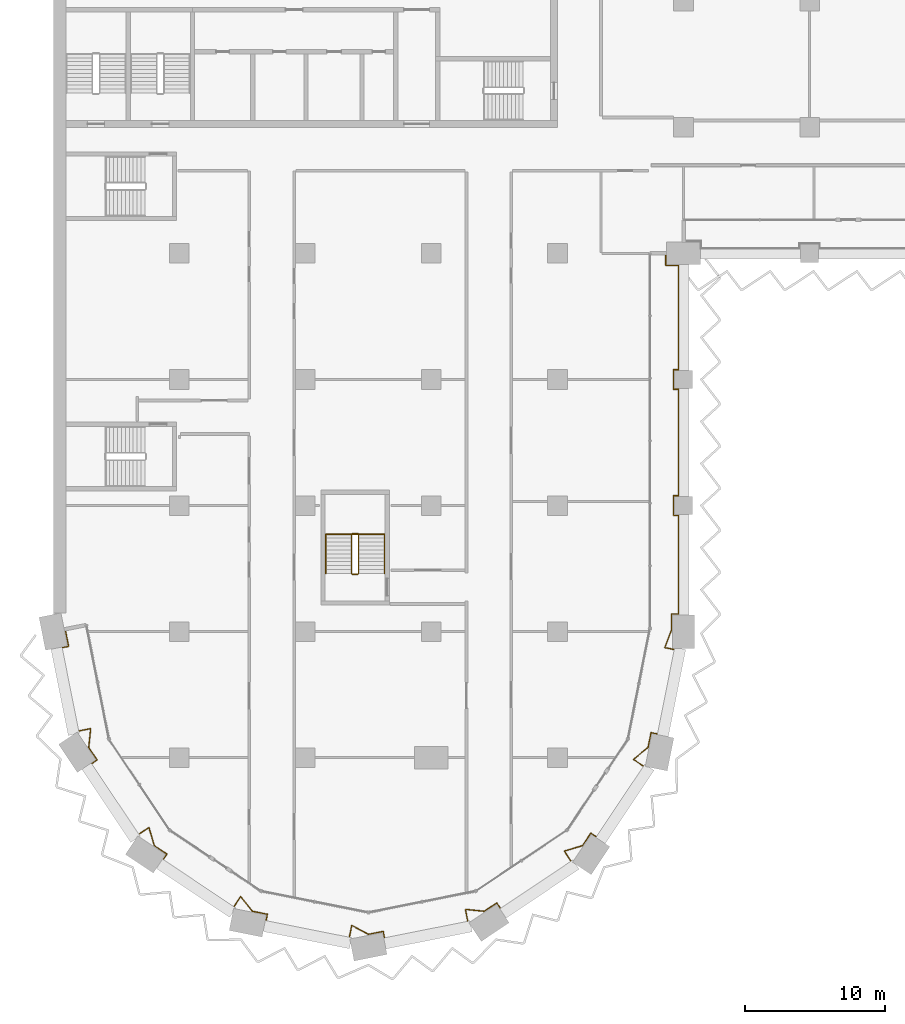
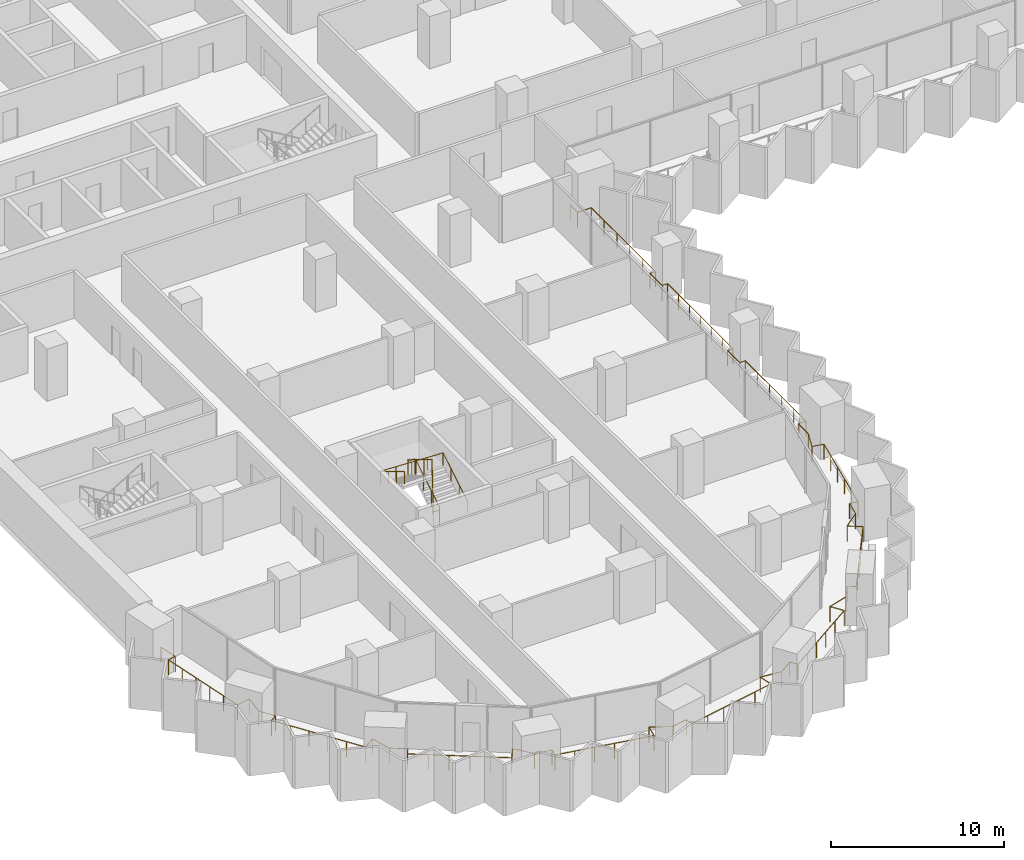
# One storey, part 25 of 29: 3 railings.
"""IFC4 building model written with IfcOpenShell, lengths in metres."""

from ifc_helpers import new_model, si_unit, direction, frame, origin, origin_2d, place, context, subcontext, project, spatial, circle, extrude, material, type_object, element, save


model = new_model("IFC4")

# Units and contexts
model_context = context("Model", 3, precision=1e-05, world=origin(), true_north=direction((0.0, 1.0)))
body_context = subcontext(model_context, "Body", "Model", "MODEL_VIEW")
ifc_project = project(units=[si_unit("LENGTHUNIT", "METRE"), si_unit("AREAUNIT", "SQUARE_METRE"), si_unit("VOLUMEUNIT", "CUBIC_METRE"), si_unit("PLANEANGLEUNIT", "RADIAN"), si_unit("MASSUNIT", "GRAM", prefix="KILO")], contexts=[model_context])

# Site, building, storey
site_placement = place(None, origin())
site = spatial("IfcSite", under=ifc_project, at=site_placement, CompositionType="ELEMENT")
building_placement = place(site_placement, origin())
building = spatial("IfcBuilding", under=site, at=building_placement, Name="Hunhe Ridgeline Campus", CompositionType="ELEMENT")
storey_placement = place(building_placement, frame((0.0, 0.0, 65.39990234375)))
storey = spatial("IfcBuildingStorey", under=building, at=storey_placement, Name="L15", CompositionType="ELEMENT", Elevation=65.39990234375)

# Railings
ifc_material_1 = material(Name="Steel Q355", Category="steel")
railing_type_1 = type_object("IfcRailingType", Name="Loggia guard 1100 Steel Q355", PredefinedType="GUARDRAIL", material=ifc_material_1)
railing_1_placement = place(storey_placement, frame((0.853271484375, 27.169677734375, 0.0)))
element("IfcRailing", 1, at=railing_1_placement, inside=storey, type_object=railing_type_1, Name="Loggia guard 1", PredefinedType="GUARDRAIL", context=body_context, shape_type="SweptSolid", body=[
    extrude(circle(Radius=0.02392578125, at=origin_2d()), frame((0.0, 0.0, 1.076171875), z_axis=(0.195139364365, -0.980775523999, 0.0), x_axis=(0.980775523999, 0.195139364365, 0.0)), (0.0, 0.0, 1.0), 1.249755859375),
    extrude(circle(Radius=0.02392578125, at=origin_2d()), frame((0.243896484375, -1.225830078125, 1.076171875), z_axis=(-0.980742851189, -0.195303506986, 0.0), x_axis=(0.195303506986, -0.980742851189, 0.0)), (0.0, 0.0, 1.0), 0.52001953125),
    extrude(circle(Radius=0.02392578125, at=origin_2d()), frame((-0.26611328125, -1.327392578125, 1.076171875), z_axis=(0.195094074844, -0.980784533912, 0.0), x_axis=(0.980784533912, 0.195094074844, 0.0)), (0.0, 0.0, 1.0), 6.064208984375),
    extrude(circle(Radius=0.02392578125, at=origin_2d()), frame((0.9169921875, -7.275146484375, 1.076171875), z_axis=(0.980774480174, 0.195144610585, 0.0), x_axis=(-0.195144610585, 0.980774480174, 0.0)), (0.0, 0.0, 1.0), 0.918212890625),
    extrude(circle(Radius=0.02392578125, at=origin_2d()), frame((1.817626953125, -7.095947265625, 1.076171875), z_axis=(-0.102578746514, -0.994724886973, 0.0), x_axis=(0.994724886973, -0.102578746514, 0.0)), (0.0, 0.0, 1.0), 1.351806640625),
    extrude(circle(Radius=0.02392578125, at=origin_2d()), frame((1.678955078125, -8.440673828125, 1.076171875), z_axis=(0.555693885997, -0.831386976724, 0.0), x_axis=(0.831386976724, 0.555693885997, 0.0)), (0.0, 0.0, 1.0), 1.076904296875),
    extrude(circle(Radius=0.02392578125, at=origin_2d()), frame((2.27734375, -9.3359375, 1.076171875), z_axis=(-0.831327417949, -0.555782982977, 0.0), x_axis=(0.555782982977, -0.831327417949, 0.0)), (0.0, 0.0, 1.0), 0.52001953125),
    extrude(circle(Radius=0.02392578125, at=origin_2d()), frame((1.844970703125, -9.625, 1.076171875), z_axis=(0.55557319973, -0.831467630002, 0.0), x_axis=(0.831467630002, 0.55557319973, 0.0)), (0.0, 0.0, 1.0), 6.064208984375),
    extrude(circle(Radius=0.02392578125, at=origin_2d()), frame((5.214111328125, -14.667236328125, 1.076171875), z_axis=(0.831395250422, 0.555681507318, 0.0), x_axis=(-0.555681507318, 0.831395250422, 0.0)), (0.0, 0.0, 1.0), 0.918212890625),
    extrude(circle(Radius=0.02392578125, at=origin_2d()), frame((5.9775390625, -14.156982421875, 1.076171875), z_axis=(0.285889499126, -0.958262591511, 0.0), x_axis=(0.958262591511, 0.285889499126, 0.0)), (0.0, 0.0, 1.0), 1.351806640625),
    extrude(circle(Radius=0.02392578125, at=origin_2d()), frame((6.364013671875, -15.452392578125, 1.076171875), z_axis=(0.831456967492, -0.555589156849, 0.0), x_axis=(0.555589156849, 0.831456967492, 0.0)), (0.0, 0.0, 1.0), 1.0771484375),
    extrude(circle(Radius=0.02392578125, at=origin_2d()), frame((7.259521484375, -16.05078125, 1.076171875), z_axis=(-0.555675381322, -0.831399344835, 0.0), x_axis=(0.831399344835, -0.555675381322, 0.0)), (0.0, 0.0, 1.0), 0.519775390625),
    extrude(circle(Radius=0.02392578125, at=origin_2d()), frame((6.970703125, -16.48291015625, 1.076171875), z_axis=(0.831467630002, -0.55557319973, 0.0), x_axis=(0.55557319973, 0.831467630002, 0.0)), (0.0, 0.0, 1.0), 6.064208984375),
    extrude(circle(Radius=0.02392578125, at=origin_2d()), frame((12.012939453125, -19.85205078125, 1.076171875), z_axis=(0.555497688072, 0.831518080709, 0.0), x_axis=(-0.831518080709, 0.555497688072, 0.0)), (0.0, 0.0, 1.0), 0.918212890625),
    extrude(circle(Radius=0.02392578125, at=origin_2d()), frame((12.52294921875, -19.088623046875, 1.076171875), z_axis=(0.630864561128, -0.775892972976, 0.0), x_axis=(0.775892972976, 0.630864561128, 0.0)), (0.0, 0.0, 1.0), 1.351806640625),
    extrude(circle(Radius=0.02392578125, at=origin_2d()), frame((13.375732421875, -20.137451171875, 1.076171875), z_axis=(0.980771998786, -0.195157081339, 0.0), x_axis=(0.195157081339, 0.980771998786, 0.0)), (0.0, 0.0, 1.0), 1.0771484375),
    extrude(circle(Radius=0.02392578125, at=origin_2d()), frame((14.43212890625, -20.34765625, 1.076171875), z_axis=(-0.195303506986, -0.980742851189, 0.0), x_axis=(0.980742851189, -0.195303506986, 0.0)), (0.0, 0.0, 1.0), 0.52001953125),
    extrude(circle(Radius=0.02392578125, at=origin_2d()), frame((14.33056640625, -20.857666015625, 1.076171875), z_axis=(0.980792236535, -0.195055347919, 0.0), x_axis=(0.195055347919, 0.980792236535, 0.0)), (0.0, 0.0, 1.0), 6.064208984375),
    extrude(circle(Radius=0.02392578125, at=origin_2d()), frame((20.2783203125, -22.04052734375, 1.076171875), z_axis=(0.195144610585, 0.980774480174, 0.0), x_axis=(-0.980774480174, 0.195144610585, 0.0)), (0.0, 0.0, 1.0), 0.918212890625),
    extrude(circle(Radius=0.02392578125, at=origin_2d()), frame((20.45751953125, -21.139892578125, 1.076171875), z_axis=(0.879704471732, -0.475520811757, 0.0), x_axis=(0.475520811757, 0.879704471732, 0.0)), (0.0, 0.0, 1.0), 1.351806640625),
    extrude(circle(Radius=0.02392578125, at=origin_2d()), frame((21.646728515625, -21.78271484375, 1.076171875), z_axis=(0.980763363144, 0.195200475189, 0.0), x_axis=(-0.195200475189, 0.980763363144, 0.0)), (0.0, 0.0, 1.0), 1.076904296875),
    extrude(circle(Radius=0.02392578125, at=origin_2d()), frame((22.702880859375, -21.572509765625, 1.076171875), z_axis=(0.195303506986, -0.980742851189, 0.0), x_axis=(0.980742851189, 0.195303506986, 0.0)), (0.0, 0.0, 1.0), 0.52001953125),
    extrude(circle(Radius=0.02392578125, at=origin_2d()), frame((22.804443359375, -22.08251953125, 1.076171875), z_axis=(0.980784533912, 0.195094074844, 0.0), x_axis=(-0.195094074844, 0.980784533912, 0.0)), (0.0, 0.0, 1.0), 6.064208984375),
    extrude(circle(Radius=0.02392578125, at=origin_2d()), frame((28.752197265625, -20.8994140625, 1.076171875), z_axis=(-0.195144610585, 0.980774480174, 0.0), x_axis=(-0.980774480174, -0.195144610585, 0.0)), (0.0, 0.0, 1.0), 0.918212890625),
    extrude(circle(Radius=0.02392578125, at=origin_2d()), frame((28.572998046875, -19.998779296875, 1.076171875), z_axis=(0.994724886973, -0.102578746514, 0.0), x_axis=(0.102578746514, 0.994724886973, 0.0)), (0.0, 0.0, 1.0), 1.351806640625),
    extrude(circle(Radius=0.02392578125, at=origin_2d()), frame((29.917724609375, -20.137451171875, 1.076171875), z_axis=(0.831386976724, 0.555693885997, 0.0), x_axis=(-0.555693885997, 0.831386976724, 0.0)), (0.0, 0.0, 1.0), 1.076904296875),
    extrude(circle(Radius=0.02392578125, at=origin_2d()), frame((30.81298828125, -19.5390625, 1.076171875), z_axis=(0.555782982977, -0.831327417949, 0.0), x_axis=(0.831327417949, 0.555782982977, 0.0)), (0.0, 0.0, 1.0), 0.52001953125),
    extrude(circle(Radius=0.02392578125, at=origin_2d()), frame((31.10205078125, -19.971435546875, 1.076171875), z_axis=(0.831467630002, 0.55557319973, 0.0), x_axis=(-0.55557319973, 0.831467630002, 0.0)), (0.0, 0.0, 1.0), 6.064208984375),
    extrude(circle(Radius=0.02392578125, at=origin_2d()), frame((36.144287109375, -16.602294921875, 1.076171875), z_axis=(-0.555681507318, 0.831395250422, 0.0), x_axis=(-0.831395250422, -0.555681507318, 0.0)), (0.0, 0.0, 1.0), 0.918212890625),
    extrude(circle(Radius=0.02392578125, at=origin_2d()), frame((35.634033203125, -15.8388671875, 1.076171875), z_axis=(0.958262591511, 0.285889499126, 0.0), x_axis=(-0.285889499126, 0.958262591511, 0.0)), (0.0, 0.0, 1.0), 1.351806640625),
    extrude(circle(Radius=0.02392578125, at=origin_2d()), frame((36.929443359375, -15.452392578125, 1.076171875), z_axis=(0.555589156849, 0.831456967492, 0.0), x_axis=(-0.831456967492, 0.555589156849, 0.0)), (0.0, 0.0, 1.0), 1.0771484375),
    extrude(circle(Radius=0.02392578125, at=origin_2d()), frame((37.52783203125, -14.556884765625, 1.076171875), z_axis=(0.831399344835, -0.555675381322, 0.0), x_axis=(0.555675381322, 0.831399344835, 0.0)), (0.0, 0.0, 1.0), 0.519775390625),
    extrude(circle(Radius=0.02392578125, at=origin_2d()), frame((37.9599609375, -14.845703125, 1.076171875), z_axis=(0.55557319973, 0.831467630002, 0.0), x_axis=(-0.831467630002, 0.55557319973, 0.0)), (0.0, 0.0, 1.0), 6.064208984375),
    extrude(circle(Radius=0.02392578125, at=origin_2d()), frame((41.3291015625, -9.803466796875, 1.076171875), z_axis=(-0.831518080709, 0.555497688072, 0.0), x_axis=(-0.555497688072, -0.831518080709, 0.0)), (0.0, 0.0, 1.0), 0.918212890625),
    extrude(circle(Radius=0.02392578125, at=origin_2d()), frame((40.565673828125, -9.29345703125, 1.076171875), z_axis=(0.775892972976, 0.630864561128, 0.0), x_axis=(-0.630864561128, 0.775892972976, 0.0)), (0.0, 0.0, 1.0), 1.351806640625),
    extrude(circle(Radius=0.02392578125, at=origin_2d()), frame((41.614501953125, -8.440673828125, 1.076171875), z_axis=(0.195157081339, 0.980771998786, 0.0), x_axis=(-0.980771998786, 0.195157081339, 0.0)), (0.0, 0.0, 1.0), 1.0771484375),
    extrude(circle(Radius=0.02392578125, at=origin_2d()), frame((41.82470703125, -7.38427734375, 1.076171875), z_axis=(0.980742851189, -0.195303506986, 0.0), x_axis=(0.195303506986, 0.980742851189, 0.0)), (0.0, 0.0, 1.0), 0.52001953125),
    extrude(circle(Radius=0.02392578125, at=origin_2d()), frame((42.334716796875, -7.48583984375, 1.076171875), z_axis=(0.19507712928, 0.980787904509, 0.0), x_axis=(-0.980787904509, 0.19507712928, 0.0)), (0.0, 0.0, 1.0), 6.146240234375),
    extrude(circle(Radius=0.02392578125, at=origin_2d()), frame((43.53369140625, -1.457763671875, 1.076171875), z_axis=(-0.980808789294, 0.194972097602, 0.0), x_axis=(-0.194972097602, -0.980808789294, 0.0)), (0.0, 0.0, 1.0), 0.73876953125),
    extrude(circle(Radius=0.02392578125, at=origin_2d()), frame((42.80908203125, -1.313720703125, 1.076171875), z_axis=(0.35537018301, 0.93472564586, 0.0), x_axis=(-0.93472564586, 0.35537018301, 0.0)), (0.0, 0.0, 1.0), 1.315673828125),
    extrude(circle(Radius=0.02392578125, at=origin_2d()), frame((43.276611328125, -0.083984375, 1.076171875), z_axis=(0.0, 1.0, 0.0), x_axis=(-1.0, 0.0, 0.0)), (0.0, 0.0, 1.0), 1.164306640625),
    extrude(circle(Radius=0.02392578125, at=origin_2d()), frame((43.276611328125, 1.080322265625, 1.076171875), z_axis=(1.0, 0.0, 0.0), x_axis=(0.0, 1.0, 0.0)), (0.0, 0.0, 1.0), 0.52001953125),
    extrude(circle(Radius=0.02392578125, at=origin_2d()), frame((43.796630859375, 1.080322265625, 1.076171875), z_axis=(0.0, 1.0, 0.0), x_axis=(-1.0, 0.0, 0.0)), (0.0, 0.0, 1.0), 7.050048828125),
    extrude(circle(Radius=0.02392578125, at=origin_2d()), frame((43.796630859375, 8.13037109375, 1.076171875), z_axis=(-1.0, 0.0, 0.0), x_axis=(0.0, -1.0, 0.0)), (0.0, 0.0, 1.0), 0.369873046875),
    extrude(circle(Radius=0.02392578125, at=origin_2d()), frame((43.4267578125, 8.13037109375, 1.076171875), z_axis=(0.0, 1.0, 0.0), x_axis=(-1.0, 0.0, 0.0)), (0.0, 0.0, 1.0), 1.39990234375),
    extrude(circle(Radius=0.02392578125, at=origin_2d()), frame((43.4267578125, 9.5302734375, 1.076171875), z_axis=(1.0, 0.0, 0.0), x_axis=(0.0, 1.0, 0.0)), (0.0, 0.0, 1.0), 0.369873046875),
    extrude(circle(Radius=0.02392578125, at=origin_2d()), frame((43.796630859375, 9.5302734375, 1.076171875), z_axis=(0.0, 1.0, 0.0), x_axis=(-1.0, 0.0, 0.0)), (0.0, 0.0, 1.0), 7.60009765625),
    extrude(circle(Radius=0.02392578125, at=origin_2d()), frame((43.796630859375, 17.13037109375, 1.076171875), z_axis=(-1.0, 0.0, 0.0), x_axis=(0.0, -1.0, 0.0)), (0.0, 0.0, 1.0), 0.369873046875),
    extrude(circle(Radius=0.02392578125, at=origin_2d()), frame((43.4267578125, 17.13037109375, 1.076171875), z_axis=(0.0, 1.0, 0.0), x_axis=(-1.0, 0.0, 0.0)), (0.0, 0.0, 1.0), 1.39990234375),
    extrude(circle(Radius=0.02392578125, at=origin_2d()), frame((43.4267578125, 18.5302734375, 1.076171875), z_axis=(1.0, 0.0, 0.0), x_axis=(0.0, 1.0, 0.0)), (0.0, 0.0, 1.0), 0.369873046875),
    extrude(circle(Radius=0.02392578125, at=origin_2d()), frame((43.796630859375, 18.5302734375, 1.076171875), z_axis=(0.0, 1.0, 0.0), x_axis=(-1.0, 0.0, 0.0)), (0.0, 0.0, 1.0), 7.449951171875),
    extrude(circle(Radius=0.02392578125, at=origin_2d()), frame((43.796630859375, 25.980224609375, 1.076171875), z_axis=(-1.0, 0.0, 0.0), x_axis=(0.0, -1.0, 0.0)), (0.0, 0.0, 1.0), 0.919921875),
    extrude(circle(Radius=0.02392578125, at=origin_2d()), frame((42.876708984375, 25.980224609375, 1.076171875), z_axis=(0.0, 1.0, 0.0), x_axis=(-1.0, 0.0, 0.0)), (0.0, 0.0, 1.0), 0.85009765625),
    extrude(circle(Radius=0.02099609375, at=origin_2d()), origin(), (0.0, 0.0, 1.0), 1.052001953125),
    extrude(circle(Radius=0.02099609375, at=origin_2d()), frame((0.243896484375, -1.225830078125, 0.0)), (0.0, 0.0, 1.0), 1.052001953125),
    extrude(circle(Radius=0.02099609375, at=origin_2d()), frame((-0.26611328125, -1.327392578125, 0.0)), (0.0, 0.0, 1.0), 1.052001953125),
    extrude(circle(Radius=0.02099609375, at=origin_2d()), frame((-0.029541015625, -2.516845703125, 0.0)), (0.0, 0.0, 1.0), 1.052001953125),
    extrude(circle(Radius=0.02099609375, at=origin_2d()), frame((0.20703125, -3.70654296875, 0.0)), (0.0, 0.0, 1.0), 1.052001953125),
    extrude(circle(Radius=0.02099609375, at=origin_2d()), frame((0.44384765625, -4.89599609375, 0.0)), (0.0, 0.0, 1.0), 1.052001953125),
    extrude(circle(Radius=0.02099609375, at=origin_2d()), frame((0.680419921875, -6.085693359375, 0.0)), (0.0, 0.0, 1.0), 1.052001953125),
    extrude(circle(Radius=0.02099609375, at=origin_2d()), frame((0.9169921875, -7.275146484375, 0.0)), (0.0, 0.0, 1.0), 1.052001953125),
    extrude(circle(Radius=0.02099609375, at=origin_2d()), frame((1.817626953125, -7.095947265625, 0.0)), (0.0, 0.0, 1.0), 1.052001953125),
    extrude(circle(Radius=0.02099609375, at=origin_2d()), frame((1.678955078125, -8.440673828125, 0.0)), (0.0, 0.0, 1.0), 1.052001953125),
    extrude(circle(Radius=0.02099609375, at=origin_2d()), frame((2.27734375, -9.3359375, 0.0)), (0.0, 0.0, 1.0), 1.052001953125),
    extrude(circle(Radius=0.02099609375, at=origin_2d()), frame((1.844970703125, -9.625, 0.0)), (0.0, 0.0, 1.0), 1.052001953125),
    extrude(circle(Radius=0.02099609375, at=origin_2d()), frame((2.518798828125, -10.633544921875, 0.0)), (0.0, 0.0, 1.0), 1.052001953125),
    extrude(circle(Radius=0.02099609375, at=origin_2d()), frame((3.192626953125, -11.641845703125, 0.0)), (0.0, 0.0, 1.0), 1.052001953125),
    extrude(circle(Radius=0.02099609375, at=origin_2d()), frame((3.866455078125, -12.650390625, 0.0)), (0.0, 0.0, 1.0), 1.052001953125),
    extrude(circle(Radius=0.02099609375, at=origin_2d()), frame((4.540283203125, -13.65869140625, 0.0)), (0.0, 0.0, 1.0), 1.052001953125),
    extrude(circle(Radius=0.02099609375, at=origin_2d()), frame((5.214111328125, -14.667236328125, 0.0)), (0.0, 0.0, 1.0), 1.052001953125),
    extrude(circle(Radius=0.02099609375, at=origin_2d()), frame((5.9775390625, -14.156982421875, 0.0)), (0.0, 0.0, 1.0), 1.052001953125),
    extrude(circle(Radius=0.02099609375, at=origin_2d()), frame((6.364013671875, -15.452392578125, 0.0)), (0.0, 0.0, 1.0), 1.052001953125),
    extrude(circle(Radius=0.02099609375, at=origin_2d()), frame((7.259521484375, -16.05078125, 0.0)), (0.0, 0.0, 1.0), 1.052001953125),
    extrude(circle(Radius=0.02099609375, at=origin_2d()), frame((6.970703125, -16.48291015625, 0.0)), (0.0, 0.0, 1.0), 1.052001953125),
    extrude(circle(Radius=0.02099609375, at=origin_2d()), frame((7.979248046875, -17.15673828125, 0.0)), (0.0, 0.0, 1.0), 1.052001953125),
    extrude(circle(Radius=0.02099609375, at=origin_2d()), frame((8.987548828125, -17.83056640625, 0.0)), (0.0, 0.0, 1.0), 1.052001953125),
    extrude(circle(Radius=0.02099609375, at=origin_2d()), frame((9.99609375, -18.50439453125, 0.0)), (0.0, 0.0, 1.0), 1.052001953125),
    extrude(circle(Radius=0.02099609375, at=origin_2d()), frame((11.00439453125, -19.17822265625, 0.0)), (0.0, 0.0, 1.0), 1.052001953125),
    extrude(circle(Radius=0.02099609375, at=origin_2d()), frame((12.012939453125, -19.85205078125, 0.0)), (0.0, 0.0, 1.0), 1.052001953125),
    extrude(circle(Radius=0.02099609375, at=origin_2d()), frame((12.52294921875, -19.088623046875, 0.0)), (0.0, 0.0, 1.0), 1.052001953125),
    extrude(circle(Radius=0.02099609375, at=origin_2d()), frame((13.375732421875, -20.137451171875, 0.0)), (0.0, 0.0, 1.0), 1.052001953125),
    extrude(circle(Radius=0.02099609375, at=origin_2d()), frame((14.43212890625, -20.34765625, 0.0)), (0.0, 0.0, 1.0), 1.052001953125),
    extrude(circle(Radius=0.02099609375, at=origin_2d()), frame((14.33056640625, -20.857666015625, 0.0)), (0.0, 0.0, 1.0), 1.052001953125),
    extrude(circle(Radius=0.02099609375, at=origin_2d()), frame((15.52001953125, -21.09423828125, 0.0)), (0.0, 0.0, 1.0), 1.052001953125),
    extrude(circle(Radius=0.02099609375, at=origin_2d()), frame((16.709716796875, -21.330810546875, 0.0)), (0.0, 0.0, 1.0), 1.052001953125),
    extrude(circle(Radius=0.02099609375, at=origin_2d()), frame((17.899169921875, -21.5673828125, 0.0)), (0.0, 0.0, 1.0), 1.052001953125),
    extrude(circle(Radius=0.02099609375, at=origin_2d()), frame((19.0888671875, -21.803955078125, 0.0)), (0.0, 0.0, 1.0), 1.052001953125),
    extrude(circle(Radius=0.02099609375, at=origin_2d()), frame((20.2783203125, -22.04052734375, 0.0)), (0.0, 0.0, 1.0), 1.052001953125),
    extrude(circle(Radius=0.02099609375, at=origin_2d()), frame((20.45751953125, -21.139892578125, 0.0)), (0.0, 0.0, 1.0), 1.052001953125),
    extrude(circle(Radius=0.02099609375, at=origin_2d()), frame((21.646728515625, -21.78271484375, 0.0)), (0.0, 0.0, 1.0), 1.052001953125),
    extrude(circle(Radius=0.02099609375, at=origin_2d()), frame((22.702880859375, -21.572509765625, 0.0)), (0.0, 0.0, 1.0), 1.052001953125),
    extrude(circle(Radius=0.02099609375, at=origin_2d()), frame((22.804443359375, -22.08251953125, 0.0)), (0.0, 0.0, 1.0), 1.052001953125),
    extrude(circle(Radius=0.02099609375, at=origin_2d()), frame((23.993896484375, -21.845947265625, 0.0)), (0.0, 0.0, 1.0), 1.052001953125),
    extrude(circle(Radius=0.02099609375, at=origin_2d()), frame((25.18359375, -21.609375, 0.0)), (0.0, 0.0, 1.0), 1.052001953125),
    extrude(circle(Radius=0.02099609375, at=origin_2d()), frame((26.373046875, -21.37255859375, 0.0)), (0.0, 0.0, 1.0), 1.052001953125),
    extrude(circle(Radius=0.02099609375, at=origin_2d()), frame((27.562744140625, -21.135986328125, 0.0)), (0.0, 0.0, 1.0), 1.052001953125),
    extrude(circle(Radius=0.02099609375, at=origin_2d()), frame((28.752197265625, -20.8994140625, 0.0)), (0.0, 0.0, 1.0), 1.052001953125),
    extrude(circle(Radius=0.02099609375, at=origin_2d()), frame((28.572998046875, -19.998779296875, 0.0)), (0.0, 0.0, 1.0), 1.052001953125),
    extrude(circle(Radius=0.02099609375, at=origin_2d()), frame((29.917724609375, -20.137451171875, 0.0)), (0.0, 0.0, 1.0), 1.052001953125),
    extrude(circle(Radius=0.02099609375, at=origin_2d()), frame((30.81298828125, -19.5390625, 0.0)), (0.0, 0.0, 1.0), 1.052001953125),
    extrude(circle(Radius=0.02099609375, at=origin_2d()), frame((31.10205078125, -19.971435546875, 0.0)), (0.0, 0.0, 1.0), 1.052001953125),
    extrude(circle(Radius=0.02099609375, at=origin_2d()), frame((32.110595703125, -19.297607421875, 0.0)), (0.0, 0.0, 1.0), 1.052001953125),
    extrude(circle(Radius=0.02099609375, at=origin_2d()), frame((33.118896484375, -18.623779296875, 0.0)), (0.0, 0.0, 1.0), 1.052001953125),
    extrude(circle(Radius=0.02099609375, at=origin_2d()), frame((34.12744140625, -17.949951171875, 0.0)), (0.0, 0.0, 1.0), 1.052001953125),
    extrude(circle(Radius=0.02099609375, at=origin_2d()), frame((35.1357421875, -17.276123046875, 0.0)), (0.0, 0.0, 1.0), 1.052001953125),
    extrude(circle(Radius=0.02099609375, at=origin_2d()), frame((36.144287109375, -16.602294921875, 0.0)), (0.0, 0.0, 1.0), 1.052001953125),
    extrude(circle(Radius=0.02099609375, at=origin_2d()), frame((35.634033203125, -15.8388671875, 0.0)), (0.0, 0.0, 1.0), 1.052001953125),
    extrude(circle(Radius=0.02099609375, at=origin_2d()), frame((36.929443359375, -15.452392578125, 0.0)), (0.0, 0.0, 1.0), 1.052001953125),
    extrude(circle(Radius=0.02099609375, at=origin_2d()), frame((37.52783203125, -14.556884765625, 0.0)), (0.0, 0.0, 1.0), 1.052001953125),
    extrude(circle(Radius=0.02099609375, at=origin_2d()), frame((37.9599609375, -14.845703125, 0.0)), (0.0, 0.0, 1.0), 1.052001953125),
    extrude(circle(Radius=0.02099609375, at=origin_2d()), frame((38.6337890625, -13.837158203125, 0.0)), (0.0, 0.0, 1.0), 1.052001953125),
    extrude(circle(Radius=0.02099609375, at=origin_2d()), frame((39.3076171875, -12.828857421875, 0.0)), (0.0, 0.0, 1.0), 1.052001953125),
    extrude(circle(Radius=0.02099609375, at=origin_2d()), frame((39.9814453125, -11.8203125, 0.0)), (0.0, 0.0, 1.0), 1.052001953125),
    extrude(circle(Radius=0.02099609375, at=origin_2d()), frame((40.6552734375, -10.81201171875, 0.0)), (0.0, 0.0, 1.0), 1.052001953125),
    extrude(circle(Radius=0.02099609375, at=origin_2d()), frame((41.3291015625, -9.803466796875, 0.0)), (0.0, 0.0, 1.0), 1.052001953125),
    extrude(circle(Radius=0.02099609375, at=origin_2d()), frame((40.565673828125, -9.29345703125, 0.0)), (0.0, 0.0, 1.0), 1.052001953125),
    extrude(circle(Radius=0.02099609375, at=origin_2d()), frame((41.614501953125, -8.440673828125, 0.0)), (0.0, 0.0, 1.0), 1.052001953125),
    extrude(circle(Radius=0.02099609375, at=origin_2d()), frame((41.82470703125, -7.38427734375, 0.0)), (0.0, 0.0, 1.0), 1.052001953125),
    extrude(circle(Radius=0.02099609375, at=origin_2d()), frame((42.334716796875, -7.48583984375, 0.0)), (0.0, 0.0, 1.0), 1.052001953125),
    extrude(circle(Radius=0.02099609375, at=origin_2d()), frame((42.574462890625, -6.2802734375, 0.0)), (0.0, 0.0, 1.0), 1.052001953125),
    extrude(circle(Radius=0.02099609375, at=origin_2d()), frame((42.814208984375, -5.07470703125, 0.0)), (0.0, 0.0, 1.0), 1.052001953125),
    extrude(circle(Radius=0.02099609375, at=origin_2d()), frame((43.05419921875, -3.868896484375, 0.0)), (0.0, 0.0, 1.0), 1.052001953125),
    extrude(circle(Radius=0.02099609375, at=origin_2d()), frame((43.2939453125, -2.663330078125, 0.0)), (0.0, 0.0, 1.0), 1.052001953125),
    extrude(circle(Radius=0.02099609375, at=origin_2d()), frame((43.53369140625, -1.457763671875, 0.0)), (0.0, 0.0, 1.0), 1.052001953125),
    extrude(circle(Radius=0.02099609375, at=origin_2d()), frame((42.80908203125, -1.313720703125, 0.0)), (0.0, 0.0, 1.0), 1.052001953125),
    extrude(circle(Radius=0.02099609375, at=origin_2d()), frame((43.276611328125, -0.083984375, 0.0)), (0.0, 0.0, 1.0), 1.052001953125),
    extrude(circle(Radius=0.02099609375, at=origin_2d()), frame((43.276611328125, 1.080322265625, 0.0)), (0.0, 0.0, 1.0), 1.052001953125),
    extrude(circle(Radius=0.02099609375, at=origin_2d()), frame((43.796630859375, 1.080322265625, 0.0)), (0.0, 0.0, 1.0), 1.052001953125),
    extrude(circle(Radius=0.02099609375, at=origin_2d()), frame((43.796630859375, 2.490234375, 0.0)), (0.0, 0.0, 1.0), 1.052001953125),
    extrude(circle(Radius=0.02099609375, at=origin_2d()), frame((43.796630859375, 3.900390625, 0.0)), (0.0, 0.0, 1.0), 1.052001953125),
    extrude(circle(Radius=0.02099609375, at=origin_2d()), frame((43.796630859375, 5.310302734375, 0.0)), (0.0, 0.0, 1.0), 1.052001953125),
    extrude(circle(Radius=0.02099609375, at=origin_2d()), frame((43.796630859375, 6.720458984375, 0.0)), (0.0, 0.0, 1.0), 1.052001953125),
    extrude(circle(Radius=0.02099609375, at=origin_2d()), frame((43.796630859375, 8.13037109375, 0.0)), (0.0, 0.0, 1.0), 1.052001953125),
    extrude(circle(Radius=0.02099609375, at=origin_2d()), frame((43.4267578125, 8.13037109375, 0.0)), (0.0, 0.0, 1.0), 1.052001953125),
    extrude(circle(Radius=0.02099609375, at=origin_2d()), frame((43.4267578125, 9.5302734375, 0.0)), (0.0, 0.0, 1.0), 1.052001953125),
    extrude(circle(Radius=0.02099609375, at=origin_2d()), frame((43.796630859375, 9.5302734375, 0.0)), (0.0, 0.0, 1.0), 1.052001953125),
    extrude(circle(Radius=0.02099609375, at=origin_2d()), frame((43.796630859375, 10.796875, 0.0)), (0.0, 0.0, 1.0), 1.052001953125),
    extrude(circle(Radius=0.02099609375, at=origin_2d()), frame((43.796630859375, 12.063720703125, 0.0)), (0.0, 0.0, 1.0), 1.052001953125),
    extrude(circle(Radius=0.02099609375, at=origin_2d()), frame((43.796630859375, 13.330322265625, 0.0)), (0.0, 0.0, 1.0), 1.052001953125),
    extrude(circle(Radius=0.02099609375, at=origin_2d()), frame((43.796630859375, 14.596923828125, 0.0)), (0.0, 0.0, 1.0), 1.052001953125),
    extrude(circle(Radius=0.02099609375, at=origin_2d()), frame((43.796630859375, 15.86376953125, 0.0)), (0.0, 0.0, 1.0), 1.052001953125),
    extrude(circle(Radius=0.02099609375, at=origin_2d()), frame((43.796630859375, 17.13037109375, 0.0)), (0.0, 0.0, 1.0), 1.052001953125),
    extrude(circle(Radius=0.02099609375, at=origin_2d()), frame((43.4267578125, 17.13037109375, 0.0)), (0.0, 0.0, 1.0), 1.052001953125),
    extrude(circle(Radius=0.02099609375, at=origin_2d()), frame((43.4267578125, 18.5302734375, 0.0)), (0.0, 0.0, 1.0), 1.052001953125),
    extrude(circle(Radius=0.02099609375, at=origin_2d()), frame((43.796630859375, 18.5302734375, 0.0)), (0.0, 0.0, 1.0), 1.052001953125),
    extrude(circle(Radius=0.02099609375, at=origin_2d()), frame((43.796630859375, 20.020263671875, 0.0)), (0.0, 0.0, 1.0), 1.052001953125),
    extrude(circle(Radius=0.02099609375, at=origin_2d()), frame((43.796630859375, 21.51025390625, 0.0)), (0.0, 0.0, 1.0), 1.052001953125),
    extrude(circle(Radius=0.02099609375, at=origin_2d()), frame((43.796630859375, 23.000244140625, 0.0)), (0.0, 0.0, 1.0), 1.052001953125),
    extrude(circle(Radius=0.02099609375, at=origin_2d()), frame((43.796630859375, 24.490234375, 0.0)), (0.0, 0.0, 1.0), 1.052001953125),
    extrude(circle(Radius=0.02099609375, at=origin_2d()), frame((43.796630859375, 25.980224609375, 0.0)), (0.0, 0.0, 1.0), 1.052001953125),
    extrude(circle(Radius=0.02099609375, at=origin_2d()), frame((42.876708984375, 25.980224609375, 0.0)), (0.0, 0.0, 1.0), 1.052001953125),
    extrude(circle(Radius=0.02099609375, at=origin_2d()), frame((42.876708984375, 26.830322265625, 0.0)), (0.0, 0.0, 1.0), 1.052001953125),
])
ifc_material_2 = material(Name="Stainless steel balustrade", Category="steel")
railing_type_2 = type_object("IfcRailingType", Name="Stair guard 1100 stainless", PredefinedType="GUARDRAIL", material=ifc_material_2)
railing_2_placement = place(storey_placement, frame((21.800048828125, 31.14990234375, 0.168212890625)))
element("IfcRailing", 2, at=railing_2_placement, inside=storey, type_object=railing_type_2, Name="L15 stair W3 guard", PredefinedType="GUARDRAIL", context=body_context, shape_type="SweptSolid", body=[
    extrude(circle(Radius=0.02392578125, at=origin_2d()), frame((0.0, 0.0, 1.076171875), z_axis=(0.0, 0.857242210791, 0.514913383045), x_axis=(-1.0, 0.0, 0.0)), (0.0, 0.0, 1.0), 3.266357421875),
    extrude(circle(Radius=0.02392578125, at=origin_2d()), frame((0.0, 2.800048828125, 2.7578125), z_axis=(-0.707106781187, 0.707106781187, 0.0), x_axis=(-0.707106781187, -0.707106781187, 0.0)), (0.0, 0.0, 1.0), 0.07080078125),
    extrude(circle(Radius=0.02392578125, at=origin_2d()), frame((-0.050048828125, 2.85009765625, 2.7578125), z_axis=(-1.0, 0.0, 0.0), x_axis=(0.0, -1.0, 0.0)), (0.0, 0.0, 1.0), 0.39990234375),
    extrude(circle(Radius=0.02392578125, at=origin_2d()), frame((-0.449951171875, 2.85009765625, 2.7578125), z_axis=(-0.274243871929, -0.274243871929, 0.92172696468), x_axis=(0.707106781187, -0.707106781187, 0.0)), (0.0, 0.0, 1.0), 0.1826171875),
    extrude(circle(Radius=0.02392578125, at=origin_2d()), frame((-0.5, 2.800048828125, 2.92626953125), z_axis=(0.0, -0.857242210791, 0.514913383045), x_axis=(1.0, 0.0, 0.0)), (0.0, 0.0, 1.0), 3.266357421875),
    extrude(circle(Radius=0.02392578125, at=origin_2d()), frame((-0.5, 0.0, 4.60791015625), z_axis=(0.013523534403, -0.013457565943, -0.999817987404), x_axis=(0.705375805398, 0.708833529934, 0.0)), (0.0, 0.0, 1.0), 3.700927734375),
    extrude(circle(Radius=0.02392578125, at=origin_2d()), frame((-0.449951171875, -0.0498046875, 0.90771484375), z_axis=(1.0, 0.0, 0.0), x_axis=(0.0, 1.0, 0.0)), (0.0, 0.0, 1.0), 0.39990234375),
    extrude(circle(Radius=0.02099609375, at=origin_2d()), origin(), (0.0, 0.0, 1.0), 1.052001953125),
    extrude(circle(Radius=0.02099609375, at=origin_2d()), frame((0.0, 0.933349609375, 0.560546875)), (0.0, 0.0, 1.0), 1.052001953125),
    extrude(circle(Radius=0.02099609375, at=origin_2d()), frame((0.0, 1.86669921875, 1.121337890625)), (0.0, 0.0, 1.0), 1.052001953125),
    extrude(circle(Radius=0.02099609375, at=origin_2d()), frame((0.0, 2.800048828125, 1.681884765625)), (0.0, 0.0, 1.0), 1.052001953125),
    extrude(circle(Radius=0.02099609375, at=origin_2d()), frame((-0.050048828125, 2.85009765625, 1.681884765625)), (0.0, 0.0, 1.0), 1.052001953125),
    extrude(circle(Radius=0.02099609375, at=origin_2d()), frame((-0.449951171875, 2.85009765625, 1.681884765625)), (0.0, 0.0, 1.0), 1.052001953125),
    extrude(circle(Radius=0.02099609375, at=origin_2d()), frame((-0.5, 2.800048828125, 1.85009765625)), (0.0, 0.0, 1.0), 1.052001953125),
    extrude(circle(Radius=0.02099609375, at=origin_2d()), frame((-0.5, 1.86669921875, 2.41064453125)), (0.0, 0.0, 1.0), 1.052001953125),
    extrude(circle(Radius=0.02099609375, at=origin_2d()), frame((-0.5, 0.933349609375, 2.971435546875)), (0.0, 0.0, 1.0), 1.052001953125),
    extrude(circle(Radius=0.02099609375, at=origin_2d()), frame((-0.5, 0.0, 3.531982421875)), (0.0, 0.0, 1.0), 1.052001953125),
    extrude(circle(Radius=0.02099609375, at=origin_2d()), frame((-0.487548828125, -0.012451171875, 2.60693359375)), (0.0, 0.0, 1.0), 1.052001953125),
    extrude(circle(Radius=0.02099609375, at=origin_2d()), frame((-0.47509765625, -0.02490234375, 1.681884765625)), (0.0, 0.0, 1.0), 1.052001953125),
    extrude(circle(Radius=0.02099609375, at=origin_2d()), frame((-0.46240234375, -0.037353515625, 0.7568359375)), (0.0, 0.0, 1.0), 1.052001953125),
    extrude(circle(Radius=0.02099609375, at=origin_2d()), frame((-0.449951171875, -0.0498046875, -0.168212890625)), (0.0, 0.0, 1.0), 1.052001953125),
    extrude(circle(Radius=0.02099609375, at=origin_2d()), frame((-0.050048828125, -0.0498046875, -0.168212890625)), (0.0, 0.0, 1.0), 1.052001953125),
])
ifc_material_3 = material(Name="Stainless steel handrail", Category="steel")
railing_type_3 = type_object("IfcRailingType", Name="Stair handrail 900 stainless", PredefinedType="HANDRAIL", material=ifc_material_3)
railing_3_placement = place(storey_placement, frame((23.64990234375, 31.14990234375, 0.168212890625)))
element("IfcRailing", 3, at=railing_3_placement, inside=storey, type_object=railing_type_3, Name="L15 stair W3 handrail", PredefinedType="HANDRAIL", context=body_context, shape_type="SweptSolid", body=[
    extrude(circle(Radius=0.02392578125, at=origin_2d()), frame((0.0, 0.0, 0.8759765625), z_axis=(0.0, 0.857242210791, 0.514913383045), x_axis=(-1.0, 0.0, 0.0)), (0.0, 0.0, 1.0), 3.266357421875),
    extrude(circle(Radius=0.02392578125, at=origin_2d()), frame((0.0, 2.800048828125, 2.5576171875), z_axis=(-0.999198916169, 0.0, 0.040019069537), x_axis=(0.0, -1.0, 0.0)), (0.0, 0.0, 1.0), 4.203369140625),
    extrude(circle(Radius=0.02392578125, at=origin_2d()), frame((-4.199951171875, 2.800048828125, 2.72607421875), z_axis=(0.0, -0.857242210791, 0.514913383045), x_axis=(1.0, 0.0, 0.0)), (0.0, 0.0, 1.0), 3.266357421875),
    extrude(circle(Radius=0.02099609375, at=origin_2d()), origin(), (0.0, 0.0, 1.0), 0.851806640625),
    extrude(circle(Radius=0.02099609375, at=origin_2d()), frame((0.0, 0.933349609375, 0.560546875)), (0.0, 0.0, 1.0), 0.851806640625),
    extrude(circle(Radius=0.02099609375, at=origin_2d()), frame((0.0, 1.86669921875, 1.121337890625)), (0.0, 0.0, 1.0), 0.851806640625),
    extrude(circle(Radius=0.02099609375, at=origin_2d()), frame((0.0, 2.800048828125, 1.681884765625)), (0.0, 0.0, 1.0), 0.851806640625),
    extrude(circle(Radius=0.02099609375, at=origin_2d()), frame((-1.050048828125, 2.800048828125, 1.723876953125)), (0.0, 0.0, 1.0), 0.851806640625),
    extrude(circle(Radius=0.02099609375, at=origin_2d()), frame((-2.10009765625, 2.800048828125, 1.76611328125)), (0.0, 0.0, 1.0), 0.851806640625),
    extrude(circle(Radius=0.02099609375, at=origin_2d()), frame((-3.14990234375, 2.800048828125, 1.80810546875)), (0.0, 0.0, 1.0), 0.851806640625),
    extrude(circle(Radius=0.02099609375, at=origin_2d()), frame((-4.199951171875, 2.800048828125, 1.85009765625)), (0.0, 0.0, 1.0), 0.851806640625),
    extrude(circle(Radius=0.02099609375, at=origin_2d()), frame((-4.199951171875, 1.86669921875, 2.41064453125)), (0.0, 0.0, 1.0), 0.851806640625),
    extrude(circle(Radius=0.02099609375, at=origin_2d()), frame((-4.199951171875, 0.933349609375, 2.971435546875)), (0.0, 0.0, 1.0), 0.851806640625),
    extrude(circle(Radius=0.02099609375, at=origin_2d()), frame((-4.199951171875, 0.0, 3.531982421875)), (0.0, 0.0, 1.0), 0.851806640625),
])

save(model, "model.ifc")
